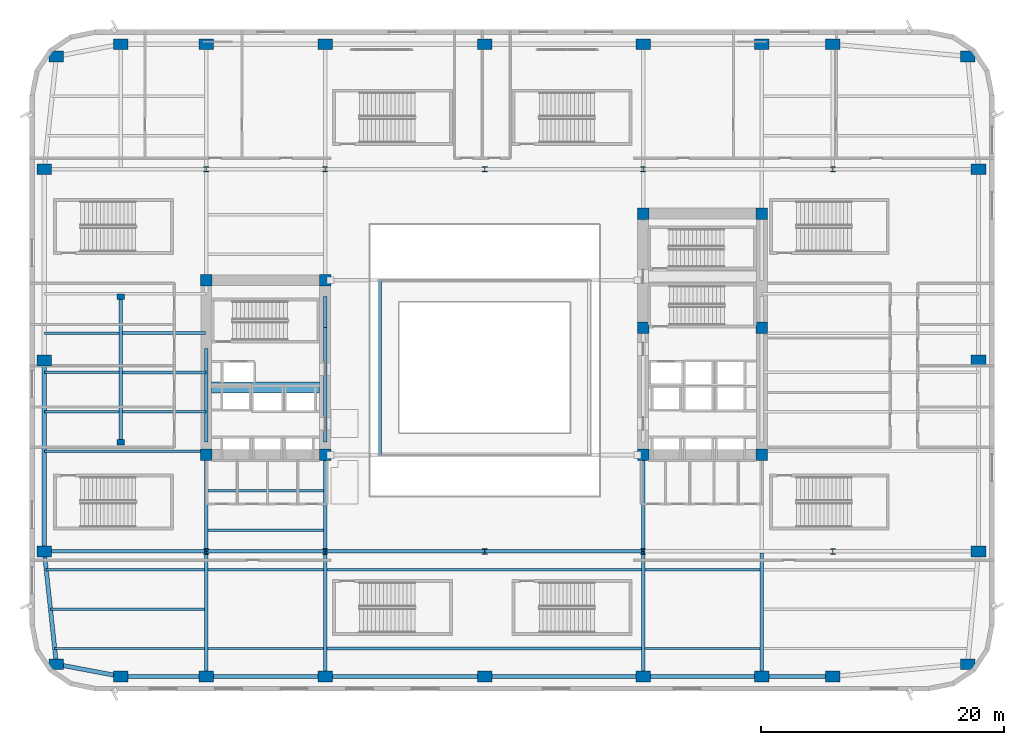
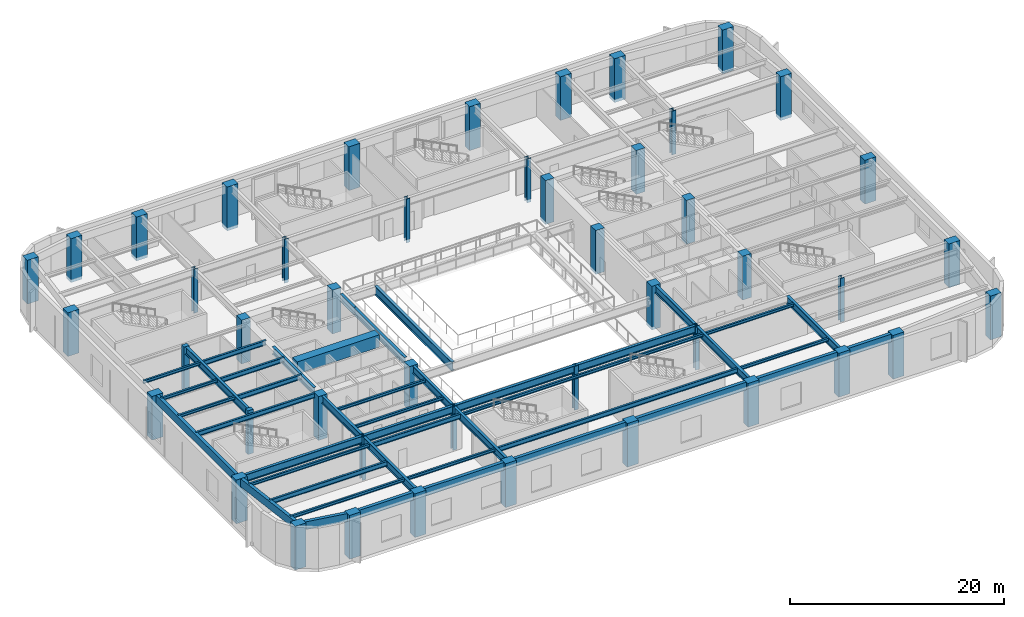
# One storey, part 1 of 21: 46 columns, 44 beams.
"""IFC4 building model written with IfcOpenShell, lengths in metres."""

from ifc_helpers import new_model, si_unit, direction, frame, origin, origin_2d, place, context, subcontext, project, spatial, rectangle, hollow_rectangle, i_section, extrude, material, material_profile, profile_set, type_object, element, save


model = new_model("IFC4")

# Units and contexts
model_context = context("Model", 3, precision=1e-05, world=origin(), true_north=direction((0.0, 1.0)))
body_context = subcontext(model_context, "Body", "Model", "MODEL_VIEW")
ifc_project = project(units=[si_unit("LENGTHUNIT", "METRE"), si_unit("AREAUNIT", "SQUARE_METRE"), si_unit("VOLUMEUNIT", "CUBIC_METRE"), si_unit("PLANEANGLEUNIT", "RADIAN"), si_unit("MASSUNIT", "GRAM", prefix="KILO")], contexts=[model_context])

# Site, building, storey
site_placement = place(None, origin())
site = spatial("IfcSite", under=ifc_project, at=site_placement, CompositionType="ELEMENT")
building_placement = place(site_placement, origin())
building = spatial("IfcBuilding", under=site, at=building_placement, Name="Kolvaren Arena Tower", CompositionType="ELEMENT")
storey_placement = place(building_placement, frame((0.0, 0.0, 18.0)))
storey = spatial("IfcBuildingStorey", under=building, at=storey_placement, Name="L03", CompositionType="ELEMENT", Elevation=18.0)

# Columns
ifc_material_1 = material(Name="Precast concrete C70/85", Category="concrete")
ifc_material_profile_1 = material_profile(ifc_material_1, rectangle(XDim=1.199951171875, YDim=0.89990234375, at=origin_2d()), Name="RC-1200x900")
ifc_profile_set_1 = profile_set([ifc_material_profile_1], Name="Precast concrete C70/85")
column_type_1 = type_object("IfcColumnType", Name="EXCOL-Z1", PredefinedType="COLUMN", material=ifc_profile_set_1)
for number, where, z_axis, x_axis, name in (
    (1, (2.199951171875, 2.199951171875, -0.35009765625), (0.0, 0.0, 1.0), (1.0, 0.0, 0.0), "Podium Perimeter Column PS-C0 (L03)"),
    (2, (7.5, 1.199951171875, -0.35009765625), (0.0, 0.0, 1.0), (1.0, 0.0, 0.0), "Podium Perimeter Column PS-01 (L03)"),
    (3, (14.550048828125, 1.199951171875, -0.35009765625), (0.0, 0.0, 1.0), (1.0, 0.0, 0.0), "Podium Perimeter Column PS-02 (L03)"),
    (4, (24.35009765625, 1.199951171875, -0.35009765625), (0.0, 0.0, 1.0), (1.0, 0.0, 0.0), "Podium Perimeter Column PS-03 (L03)"),
    (5, (37.5, 1.199951171875, -0.35009765625), (0.0, 0.0, 1.0), (1.0, 0.0, 0.0), "Podium Perimeter Column PS-04 (L03)"),
    (6, (50.550048828125, 1.199951171875, -0.35009765625), (0.0, 0.0, 1.0), (1.0, 0.0, 0.0), "Podium Perimeter Column PS-05 (L03)"),
    (7, (60.35009765625, 1.199951171875, -0.35009765625), (0.0, 0.0, 1.0), (1.0, 0.0, 0.0), "Podium Perimeter Column PS-06 (L03)"),
    (8, (66.199951171875, 1.199951171875, -0.35009765625), (0.0, 0.0, 1.0), (1.0, 0.0, 0.0), "Podium Perimeter Column PS-07 (L03)"),
    (9, (77.300048828125, 2.199951171875, -0.35009765625), (0.0, 0.0, 1.0), (1.0, 0.0, 0.0), "Podium Perimeter Column PE-C0 (L03)"),
    (10, (78.199951171875, 11.5, -0.35009765625), (0.0, 0.0, 1.0), (1.0, 0.0, 0.0), "Podium Perimeter Column PE-01 (L03)"),
    (11, (78.199951171875, 27.25, -0.35009765625), (0.0, 0.0, 1.0), (1.0, 0.0, 0.0), "Podium Perimeter Column PE-02 (L03)"),
    (12, (78.199951171875, 43.0, -0.35009765625), (0.0, 0.0, 1.0), (1.0, 0.0, 0.0), "Podium Perimeter Column PE-03 (L03)"),
    (13, (77.300048828125, 52.300048828125, -0.35009765625), (0.0, 0.0, 1.0), (1.0, 0.0, 0.0), "Podium Perimeter Column PN-C1 (L03)"),
    (14, (66.199951171875, 53.300048828125, -0.35009765625), (0.0, 0.0, 1.0), (1.0, 0.0, 0.0), "Podium Perimeter Column PN-07 (L03)"),
    (15, (60.35009765625, 53.300048828125, -0.35009765625), (0.0, 0.0, 1.0), (1.0, 0.0, 0.0), "Podium Perimeter Column PN-06 (L03)"),
    (16, (50.550048828125, 53.300048828125, -0.35009765625), (0.0, 0.0, 1.0), (1.0, 0.0, 0.0), "Podium Perimeter Column PN-05 (L03)"),
    (17, (37.5, 53.300048828125, -0.35009765625), (0.0, 0.0, 1.0), (1.0, 0.0, 0.0), "Podium Perimeter Column PN-04 (L03)"),
    (18, (24.35009765625, 53.300048828125, -0.35009765625), (0.0, 0.0, 1.0), (1.0, 0.0, 0.0), "Podium Perimeter Column PN-03 (L03)"),
    (19, (14.550048828125, 53.300048828125, -0.35009765625), (0.0, 0.0, 1.0), (1.0, 0.0, 0.0), "Podium Perimeter Column PN-02 (L03)"),
    (20, (7.5, 53.300048828125, -0.35009765625), (0.0, 0.0, 1.0), (1.0, 0.0, 0.0), "Podium Perimeter Column PN-01 (L03)"),
    (21, (2.199951171875, 52.300048828125, -0.35009765625), (0.0, 0.0, 1.0), (1.0, 0.0, 0.0), "Podium Perimeter Column PN-C0 (L03)"),
    (22, (1.199951171875, 43.0, -0.35009765625), (0.0, 0.0, 1.0), (1.0, 0.0, 0.0), "Podium Perimeter Column PW-03 (L03)"),
    (23, (1.199951171875, 27.25, -0.35009765625), (0.0, 0.0, 1.0), (1.0, 0.0, 0.0), "Podium Perimeter Column PW-02 (L03)"),
    (24, (1.199951171875, 11.5, -0.35009765625), (0.0, 0.0, 1.0), (1.0, 0.0, 0.0), "Podium Perimeter Column PW-01 (L03)"),
):
    element("IfcColumn", number, at=place(storey_placement, frame(where, z_axis=z_axis, x_axis=x_axis)), inside=storey, type_object=column_type_1, Name=name, PredefinedType="COLUMN", context=body_context, shape_type="SweptSolid", body=[
        extrude(rectangle(XDim=1.199951171875, YDim=0.89990234375, at=origin_2d()), origin(), (0.0, 0.0, 1.0), 5.0),
    ])
ifc_material_2 = material(Name="Concrete 60 MPa", Category="concrete")
ifc_material_profile_2 = material_profile(ifc_material_2, rectangle(XDim=0.949951171875, YDim=0.949951171875, at=origin_2d()), Name="RC-950x950")
ifc_profile_set_2 = profile_set([ifc_material_profile_2], Name="Concrete 60 MPa")
column_type_2 = type_object("IfcColumnType", Name="PCOL-B1", PredefinedType="COLUMN", material=ifc_profile_set_2)
for number, where, z_axis, x_axis, name in (
    (25, (14.550048828125, 19.449951171875, -0.35009765625), (0.0, 0.0, 1.0), (1.0, 0.0, 0.0), "Core Boundary Column WC-SW (L03)"),
    (26, (24.35009765625, 19.449951171875, -0.35009765625), (0.0, 0.0, 1.0), (1.0, 0.0, 0.0), "Core Boundary Column WC-SE (L03)"),
    (27, (14.550048828125, 33.85009765625, -0.35009765625), (0.0, 0.0, 1.0), (1.0, 0.0, 0.0), "Core Boundary Column WC-NW (L03)"),
    (28, (24.35009765625, 33.85009765625, -0.35009765625), (0.0, 0.0, 1.0), (1.0, 0.0, 0.0), "Core Boundary Column WC-NE (L03)"),
    (29, (50.550048828125, 19.449951171875, -0.35009765625), (0.0, 0.0, 1.0), (1.0, 0.0, 0.0), "Core Boundary Column EC-SW (L03)"),
    (30, (60.35009765625, 19.449951171875, -0.35009765625), (0.0, 0.0, 1.0), (1.0, 0.0, 0.0), "Core Boundary Column EC-SE (L03)"),
    (31, (50.550048828125, 29.949951171875, -0.35009765625), (0.0, 0.0, 1.0), (1.0, 0.0, 0.0), "Core Boundary Column EC-MW (L03)"),
    (32, (60.35009765625, 29.949951171875, -0.35009765625), (0.0, 0.0, 1.0), (1.0, 0.0, 0.0), "Core Boundary Column EC-ME (L03)"),
    (33, (50.550048828125, 39.35009765625, -0.35009765625), (0.0, 0.0, 1.0), (1.0, 0.0, 0.0), "Core Boundary Column EC-NW (L03)"),
    (34, (60.35009765625, 39.35009765625, -0.35009765625), (0.0, 0.0, 1.0), (1.0, 0.0, 0.0), "Core Boundary Column EC-NE (L03)"),
):
    element("IfcColumn", number, at=place(storey_placement, frame(where, z_axis=z_axis, x_axis=x_axis)), inside=storey, type_object=column_type_2, Name=name, PredefinedType="COLUMN", context=body_context, shape_type="SweptSolid", body=[
        extrude(rectangle(XDim=0.949951171875, YDim=0.949951171875, at=origin_2d()), origin(), (0.0, 0.0, 1.0), 5.0),
    ])
ifc_material_3 = material(Name="Precast concrete C50/60", Category="concrete")
ifc_material_profile_3 = material_profile(ifc_material_3, rectangle(XDim=0.60009765625, YDim=0.449951171875, at=origin_2d()), Name="RC-600x450")
ifc_profile_set_3 = profile_set([ifc_material_profile_3], Name="Precast concrete C50/60")
column_type_3 = type_object("IfcColumnType", Name="PIL-01", PredefinedType="PILASTER", material=ifc_profile_set_3)
for number, where, z_axis, x_axis, name in (
    (35, (7.5, 20.5, -0.35009765625), (0.0, 0.0, 1.0), (1.0, 0.0, 0.0), "Concourse Structural Pilaster 1 (L03)"),
    (36, (7.5, 32.5, -0.35009765625), (0.0, 0.0, 1.0), (1.0, 0.0, 0.0), "Concourse Structural Pilaster 2 (L03)"),
):
    element("IfcColumn", number, at=place(storey_placement, frame(where, z_axis=z_axis, x_axis=x_axis)), inside=storey, type_object=column_type_3, Name=name, PredefinedType="PILASTER", context=body_context, shape_type="SweptSolid", body=[
        extrude(rectangle(XDim=0.60009765625, YDim=0.449951171875, at=origin_2d()), origin(), (0.0, 0.0, 1.0), 5.0),
    ])
ifc_material_4 = material(Name="Steel ASTM A913 Grade 65", Category="steel")
ifc_material_profile_4 = material_profile(ifc_material_4, i_section(OverallWidth=0.424072265625, OverallDepth=0.47412109375, WebThickness=0.047607421875, FlangeThickness=0.076904296875, FilletRadius=0.02001953125, at=origin_2d()), Name="W360x634")
ifc_profile_set_4 = profile_set([ifc_material_profile_4], Name="Steel ASTM A913 Grade 65")
column_type_4 = type_object("IfcColumnType", Name="SCOL-Z1", PredefinedType="COLUMN", material=ifc_profile_set_4)
for number, where, z_axis, x_axis, name in (
    (37, (14.550048828125, 11.5, -0.35009765625), (0.0, 0.0, 1.0), (1.0, 0.0, 0.0), "Concourse Structural Column PB-S1 (L03)"),
    (38, (24.35009765625, 11.5, -0.35009765625), (0.0, 0.0, 1.0), (1.0, 0.0, 0.0), "Concourse Structural Column PB-S2 (L03)"),
    (39, (37.5, 11.5, -0.35009765625), (0.0, 0.0, 1.0), (1.0, 0.0, 0.0), "Concourse Structural Column PB-S3 (L03)"),
    (40, (50.550048828125, 11.5, -0.35009765625), (0.0, 0.0, 1.0), (1.0, 0.0, 0.0), "Concourse Structural Column PB-S4 (L03)"),
    (41, (66.199951171875, 11.5, -0.35009765625), (0.0, 0.0, 1.0), (1.0, 0.0, 0.0), "Concourse Structural Column PB-S5 (L03)"),
    (42, (14.550048828125, 43.0, -0.35009765625), (0.0, 0.0, 1.0), (1.0, 0.0, 0.0), "Concourse Structural Column PB-N1 (L03)"),
    (43, (24.35009765625, 43.0, -0.35009765625), (0.0, 0.0, 1.0), (1.0, 0.0, 0.0), "Concourse Structural Column PB-N2 (L03)"),
    (44, (37.5, 43.0, -0.35009765625), (0.0, 0.0, 1.0), (1.0, 0.0, 0.0), "Concourse Structural Column PB-N3 (L03)"),
    (45, (50.550048828125, 43.0, -0.35009765625), (0.0, 0.0, 1.0), (1.0, 0.0, 0.0), "Concourse Structural Column PB-N4 (L03)"),
    (46, (66.199951171875, 43.0, -0.35009765625), (0.0, 0.0, 1.0), (1.0, 0.0, 0.0), "Concourse Structural Column PB-N5 (L03)"),
):
    element("IfcColumn", number, at=place(storey_placement, frame(where, z_axis=z_axis, x_axis=x_axis)), inside=storey, type_object=column_type_4, Name=name, PredefinedType="COLUMN", context=body_context, shape_type="SweptSolid", body=[
        extrude(i_section(OverallWidth=0.424072265625, OverallDepth=0.47412109375, WebThickness=0.047607421875, FlangeThickness=0.076904296875, FilletRadius=0.02001953125, at=origin_2d()), origin(), (0.0, 0.0, 1.0), 5.0),
    ])

# Beams
ifc_material_5 = material(Name="Steel CSA G40.21 350W", Category="steel")
ifc_material_profile_5 = material_profile(ifc_material_5, i_section(OverallWidth=0.2119140625, OverallDepth=0.54296875, WebThickness=0.01318359375, FlangeThickness=0.0244140625, FilletRadius=0.013916015625, at=origin_2d()), Name="W530x150")
ifc_profile_set_5 = profile_set([ifc_material_profile_5], Name="Steel CSA G40.21 350W")
beam_type_1 = type_object("IfcBeamType", Name="BEAM-F1", PredefinedType="BEAM", material=ifc_profile_set_5)
beam_1_placement = place(storey_placement, frame((24.49609375, 3.5, 4.37841796875), z_axis=(1.0, 0.0, 0.0), x_axis=(0.0, 1.0, 0.0)))
element("IfcBeam", 47, at=beam_1_placement, inside=storey, type_object=beam_type_1, Name="Composite Floor Beam (L03)", PredefinedType="BEAM", context=body_context, shape_type="SweptSolid", body=[
    extrude(i_section(OverallWidth=0.2119140625, OverallDepth=0.54296875, WebThickness=0.01318359375, FlangeThickness=0.0244140625, FilletRadius=0.013916015625, at=origin_2d()), origin(), (0.0, 0.0, 1.0), 25.907958984375),
])
beam_2_placement = place(storey_placement, frame((1.710693359375, 6.75, 4.37841796875), z_axis=(1.0, 0.0, 0.0), x_axis=(0.0, 1.0, 0.0)))
element("IfcBeam", 48, at=beam_2_placement, inside=storey, type_object=beam_type_1, Name="Composite Floor Beam (L03)", PredefinedType="BEAM", context=body_context, shape_type="SweptSolid", body=[
    extrude(i_section(OverallWidth=0.2119140625, OverallDepth=0.54296875, WebThickness=0.01318359375, FlangeThickness=0.0244140625, FilletRadius=0.013916015625, at=origin_2d()), origin(), (0.0, 0.0, 1.0), 12.693359375),
])
beam_3_placement = place(storey_placement, frame((14.696044921875, 10.0, 4.37841796875), z_axis=(1.0, 0.0, 0.0), x_axis=(0.0, 1.0, 0.0)))
element("IfcBeam", 49, at=beam_3_placement, inside=storey, type_object=beam_type_1, Name="Composite Floor Beam (L03)", PredefinedType="BEAM", context=body_context, shape_type="SweptSolid", body=[
    extrude(i_section(OverallWidth=0.2119140625, OverallDepth=0.54296875, WebThickness=0.01318359375, FlangeThickness=0.0244140625, FilletRadius=0.013916015625, at=origin_2d()), origin(), (0.0, 0.0, 1.0), 9.508056640625),
])
beam_4_placement = place(storey_placement, frame((1.199951171875, 19.75, 4.37841796875), z_axis=(1.0, 0.0, 0.0), x_axis=(0.0, 1.0, 0.0)))
element("IfcBeam", 50, at=beam_4_placement, inside=storey, type_object=beam_type_1, Name="Composite Floor Beam (L03)", PredefinedType="BEAM", context=body_context, shape_type="SweptSolid", body=[
    extrude(i_section(OverallWidth=0.2119140625, OverallDepth=0.54296875, WebThickness=0.01318359375, FlangeThickness=0.0244140625, FilletRadius=0.013916015625, at=origin_2d()), origin(), (0.0, 0.0, 1.0), 13.330078125),
])
for number, where, z_axis, x_axis, name in (
    (51, (7.64599609375, 23.0, 4.37841796875), (1.0, 0.0, 0.0), (0.0, 1.0, 0.0), "Composite Floor Beam (L03)"),
    (52, (7.64599609375, 26.25, 4.37841796875), (1.0, 0.0, 0.0), (0.0, 1.0, 0.0), "Composite Floor Beam (L03)"),
):
    element("IfcBeam", number, at=place(storey_placement, frame(where, z_axis=z_axis, x_axis=x_axis)), inside=storey, type_object=beam_type_1, Name=name, PredefinedType="BEAM", context=body_context, shape_type="SweptSolid", body=[
        extrude(i_section(OverallWidth=0.2119140625, OverallDepth=0.54296875, WebThickness=0.01318359375, FlangeThickness=0.0244140625, FilletRadius=0.013916015625, at=origin_2d()), origin(), (0.0, 0.0, 1.0), 6.884033203125),
    ])
beam_5_placement = place(storey_placement, frame((7.64599609375, 29.5, 4.37841796875), z_axis=(1.0, 0.0, 0.0), x_axis=(0.0, 1.0, 0.0)))
element("IfcBeam", 53, at=beam_5_placement, inside=storey, type_object=beam_type_1, Name="Composite Floor Beam (L03)", PredefinedType="BEAM", context=body_context, shape_type="SweptSolid", body=[
    extrude(i_section(OverallWidth=0.2119140625, OverallDepth=0.54296875, WebThickness=0.01318359375, FlangeThickness=0.0244140625, FilletRadius=0.013916015625, at=origin_2d()), origin(), (0.0, 0.0, 1.0), 6.833984375),
])
ifc_material_6 = material(Name="Concrete 75 MPa", Category="concrete")
ifc_material_profile_6 = material_profile(ifc_material_6, rectangle(XDim=0.89990234375, YDim=1.39990234375, at=origin_2d()), Name="RC-900x1400")
ifc_profile_set_6 = profile_set([ifc_material_profile_6], Name="Concrete 75 MPa")
beam_type_2 = type_object("IfcBeamType", Name="CB-CORE-1", PredefinedType="BEAM", material=ifc_profile_set_6)
beam_6_placement = place(storey_placement, frame((15.0, 25.0, 4.219970703125), z_axis=(1.0, 0.0, 0.0), x_axis=(0.0, 1.0, 0.0)))
element("IfcBeam", 54, at=beam_6_placement, inside=storey, type_object=beam_type_2, Name="West Core Coupling Beam (L03)", PredefinedType="BEAM", context=body_context, shape_type="SweptSolid", body=[
    extrude(rectangle(XDim=0.89990234375, YDim=1.39990234375, at=origin_2d()), origin(), (0.0, 0.0, 1.0), 8.89990234375),
])
ifc_material_profile_7 = material_profile(ifc_material_5, i_section(OverallWidth=0.2919921875, OverallDepth=0.85498046875, WebThickness=0.02099609375, FlangeThickness=0.03564453125, FilletRadius=0.01806640625, at=origin_2d()), Name="W840x299")
ifc_profile_set_7 = profile_set([ifc_material_profile_7], Name="Steel CSA G40.21 350W")
beam_type_3 = type_object("IfcBeamType", Name="GIRD-P1", PredefinedType="BEAM", material=ifc_profile_set_7)
beam_7_placement = place(storey_placement, frame((1.199951171875, 11.5, 4.222412109375), z_axis=(1.0, 0.0, 0.0), x_axis=(0.0, 1.0, 0.0)))
element("IfcBeam", 55, at=beam_7_placement, inside=storey, type_object=beam_type_3, Name="Primary Floor Girder (L03)", PredefinedType="BEAM", context=body_context, shape_type="SweptSolid", body=[
    extrude(i_section(OverallWidth=0.2919921875, OverallDepth=0.85498046875, WebThickness=0.02099609375, FlangeThickness=0.03564453125, FilletRadius=0.01806640625, at=origin_2d()), origin(), (0.0, 0.0, 1.0), 13.35009765625),
])
beam_8_placement = place(storey_placement, frame((14.550048828125, 11.5, 4.222412109375), z_axis=(1.0, 0.0, 0.0), x_axis=(0.0, 1.0, 0.0)))
element("IfcBeam", 56, at=beam_8_placement, inside=storey, type_object=beam_type_3, Name="Primary Floor Girder (L03)", PredefinedType="BEAM", context=body_context, shape_type="SweptSolid", body=[
    extrude(i_section(OverallWidth=0.2919921875, OverallDepth=0.85498046875, WebThickness=0.02099609375, FlangeThickness=0.03564453125, FilletRadius=0.01806640625, at=origin_2d()), origin(), (0.0, 0.0, 1.0), 9.800048828125),
])
beam_9_placement = place(storey_placement, frame((24.35009765625, 11.5, 4.222412109375), z_axis=(1.0, 0.0, 0.0), x_axis=(0.0, 1.0, 0.0)))
element("IfcBeam", 57, at=beam_9_placement, inside=storey, type_object=beam_type_3, Name="Primary Floor Girder (L03)", PredefinedType="BEAM", context=body_context, shape_type="SweptSolid", body=[
    extrude(i_section(OverallWidth=0.2919921875, OverallDepth=0.85498046875, WebThickness=0.02099609375, FlangeThickness=0.03564453125, FilletRadius=0.01806640625, at=origin_2d()), origin(), (0.0, 0.0, 1.0), 13.14990234375),
])
beam_10_placement = place(storey_placement, frame((37.5, 11.5, 4.222412109375), z_axis=(1.0, 0.0, 0.0), x_axis=(0.0, 1.0, 0.0)))
element("IfcBeam", 58, at=beam_10_placement, inside=storey, type_object=beam_type_3, Name="Primary Floor Girder (L03)", PredefinedType="BEAM", context=body_context, shape_type="SweptSolid", body=[
    extrude(i_section(OverallWidth=0.2919921875, OverallDepth=0.85498046875, WebThickness=0.02099609375, FlangeThickness=0.03564453125, FilletRadius=0.01806640625, at=origin_2d()), origin(), (0.0, 0.0, 1.0), 13.050048828125),
])
beam_11_placement = place(storey_placement, frame((7.5, 20.5, 4.222412109375), z_axis=(0.0, 1.0, 0.0), x_axis=(-1.0, 0.0, 0.0)))
element("IfcBeam", 59, at=beam_11_placement, inside=storey, type_object=beam_type_3, Name="Primary Floor Girder (L03)", PredefinedType="BEAM", context=body_context, shape_type="SweptSolid", body=[
    extrude(i_section(OverallWidth=0.2919921875, OverallDepth=0.85498046875, WebThickness=0.02099609375, FlangeThickness=0.03564453125, FilletRadius=0.01806640625, at=origin_2d()), origin(), (0.0, 0.0, 1.0), 12.0),
])
beam_12_placement = place(storey_placement, frame((14.550048828125, 1.199951171875, 4.222412109375), z_axis=(0.0, 1.0, 0.0), x_axis=(-1.0, 0.0, 0.0)))
element("IfcBeam", 60, at=beam_12_placement, inside=storey, type_object=beam_type_3, Name="Primary Floor Girder (L03)", PredefinedType="BEAM", context=body_context, shape_type="SweptSolid", body=[
    extrude(i_section(OverallWidth=0.2919921875, OverallDepth=0.85498046875, WebThickness=0.02099609375, FlangeThickness=0.03564453125, FilletRadius=0.01806640625, at=origin_2d()), origin(), (0.0, 0.0, 1.0), 10.300048828125),
])
beam_13_placement = place(storey_placement, frame((14.550048828125, 11.5, 4.222412109375), z_axis=(0.0, 1.0, 0.0), x_axis=(-1.0, 0.0, 0.0)))
element("IfcBeam", 61, at=beam_13_placement, inside=storey, type_object=beam_type_3, Name="Primary Floor Girder (L03)", PredefinedType="BEAM", context=body_context, shape_type="SweptSolid", body=[
    extrude(i_section(OverallWidth=0.2919921875, OverallDepth=0.85498046875, WebThickness=0.02099609375, FlangeThickness=0.03564453125, FilletRadius=0.01806640625, at=origin_2d()), origin(), (0.0, 0.0, 1.0), 7.949951171875),
])
beam_14_placement = place(storey_placement, frame((14.550048828125, 20.5, 4.222412109375), z_axis=(0.0, 1.0, 0.0), x_axis=(-1.0, 0.0, 0.0)))
element("IfcBeam", 62, at=beam_14_placement, inside=storey, type_object=beam_type_3, Name="Primary Floor Girder (L03)", PredefinedType="BEAM", context=body_context, shape_type="SweptSolid", body=[
    extrude(i_section(OverallWidth=0.2919921875, OverallDepth=0.85498046875, WebThickness=0.02099609375, FlangeThickness=0.03564453125, FilletRadius=0.01806640625, at=origin_2d()), origin(), (0.0, 0.0, 1.0), 7.739990234375),
])
beam_15_placement = place(storey_placement, frame((24.35009765625, 1.199951171875, 4.222412109375), z_axis=(0.0, 1.0, 0.0), x_axis=(-1.0, 0.0, 0.0)))
element("IfcBeam", 63, at=beam_15_placement, inside=storey, type_object=beam_type_3, Name="Primary Floor Girder (L03)", PredefinedType="BEAM", context=body_context, shape_type="SweptSolid", body=[
    extrude(i_section(OverallWidth=0.2919921875, OverallDepth=0.85498046875, WebThickness=0.02099609375, FlangeThickness=0.03564453125, FilletRadius=0.01806640625, at=origin_2d()), origin(), (0.0, 0.0, 1.0), 10.300048828125),
])
beam_16_placement = place(storey_placement, frame((24.35009765625, 11.5, 4.222412109375), z_axis=(0.0, 1.0, 0.0), x_axis=(-1.0, 0.0, 0.0)))
element("IfcBeam", 64, at=beam_16_placement, inside=storey, type_object=beam_type_3, Name="Primary Floor Girder (L03)", PredefinedType="BEAM", context=body_context, shape_type="SweptSolid", body=[
    extrude(i_section(OverallWidth=0.2919921875, OverallDepth=0.85498046875, WebThickness=0.02099609375, FlangeThickness=0.03564453125, FilletRadius=0.01806640625, at=origin_2d()), origin(), (0.0, 0.0, 1.0), 7.949951171875),
])
beam_17_placement = place(storey_placement, frame((24.35009765625, 20.5, 4.222412109375), z_axis=(0.0, 1.0, 0.0), x_axis=(-1.0, 0.0, 0.0)))
element("IfcBeam", 65, at=beam_17_placement, inside=storey, type_object=beam_type_3, Name="Primary Floor Girder (L03)", PredefinedType="BEAM", context=body_context, shape_type="SweptSolid", body=[
    extrude(i_section(OverallWidth=0.2919921875, OverallDepth=0.85498046875, WebThickness=0.02099609375, FlangeThickness=0.03564453125, FilletRadius=0.01806640625, at=origin_2d()), origin(), (0.0, 0.0, 1.0), 9.449951171875),
])
beam_18_placement = place(storey_placement, frame((24.35009765625, 29.949951171875, 4.222412109375), z_axis=(0.0, 1.0, 0.0), x_axis=(-1.0, 0.0, 0.0)))
element("IfcBeam", 66, at=beam_18_placement, inside=storey, type_object=beam_type_3, Name="Primary Floor Girder (L03)", PredefinedType="BEAM", context=body_context, shape_type="SweptSolid", body=[
    extrude(i_section(OverallWidth=0.2919921875, OverallDepth=0.85498046875, WebThickness=0.02099609375, FlangeThickness=0.03564453125, FilletRadius=0.01806640625, at=origin_2d()), origin(), (0.0, 0.0, 1.0), 2.550048828125),
])
beam_19_placement = place(storey_placement, frame((50.550048828125, 1.199951171875, 4.222412109375), z_axis=(0.0, 1.0, 0.0), x_axis=(-1.0, 0.0, 0.0)))
element("IfcBeam", 67, at=beam_19_placement, inside=storey, type_object=beam_type_3, Name="Primary Floor Girder (L03)", PredefinedType="BEAM", context=body_context, shape_type="SweptSolid", body=[
    extrude(i_section(OverallWidth=0.2919921875, OverallDepth=0.85498046875, WebThickness=0.02099609375, FlangeThickness=0.03564453125, FilletRadius=0.01806640625, at=origin_2d()), origin(), (0.0, 0.0, 1.0), 10.300048828125),
])
beam_20_placement = place(storey_placement, frame((50.550048828125, 11.5, 4.222412109375), z_axis=(0.0, 1.0, 0.0), x_axis=(-1.0, 0.0, 0.0)))
element("IfcBeam", 68, at=beam_20_placement, inside=storey, type_object=beam_type_3, Name="Primary Floor Girder (L03)", PredefinedType="BEAM", context=body_context, shape_type="SweptSolid", body=[
    extrude(i_section(OverallWidth=0.2919921875, OverallDepth=0.85498046875, WebThickness=0.02099609375, FlangeThickness=0.03564453125, FilletRadius=0.01806640625, at=origin_2d()), origin(), (0.0, 0.0, 1.0), 7.949951171875),
])
beam_21_placement = place(storey_placement, frame((60.35009765625, 1.199951171875, 4.222412109375), z_axis=(0.0, 1.0, 0.0), x_axis=(-1.0, 0.0, 0.0)))
element("IfcBeam", 69, at=beam_21_placement, inside=storey, type_object=beam_type_3, Name="Primary Floor Girder (L03)", PredefinedType="BEAM", context=body_context, shape_type="SweptSolid", body=[
    extrude(i_section(OverallWidth=0.2919921875, OverallDepth=0.85498046875, WebThickness=0.02099609375, FlangeThickness=0.03564453125, FilletRadius=0.01806640625, at=origin_2d()), origin(), (0.0, 0.0, 1.0), 10.154052734375),
])
ifc_material_profile_8 = material_profile(ifc_material_5, i_section(OverallWidth=0.202880859375, OverallDepth=0.346923828125, WebThickness=0.0078125, FlangeThickness=0.013427734375, FilletRadius=0.010986328125, at=origin_2d()), Name="W360x64")
ifc_profile_set_8 = profile_set([ifc_material_profile_8], Name="Steel CSA G40.21 350W")
beam_type_4 = type_object("IfcBeamType", Name="JOIST-01", PredefinedType="JOIST", material=ifc_profile_set_8)
beam_22_placement = place(storey_placement, frame((2.060302734375, 3.5, 4.4765625), z_axis=(1.0, 0.0, 0.0), x_axis=(0.0, 1.0, 0.0)))
element("IfcBeam", 70, at=beam_22_placement, inside=storey, type_object=beam_type_4, Name="Composite Floor Joist (L03)", PredefinedType="JOIST", context=body_context, shape_type="SweptSolid", body=[
    extrude(i_section(OverallWidth=0.202880859375, OverallDepth=0.346923828125, WebThickness=0.0078125, FlangeThickness=0.013427734375, FilletRadius=0.010986328125, at=origin_2d()), origin(), (0.0, 0.0, 1.0), 12.34375),
])
for number, where, z_axis, x_axis, name in (
    (71, (14.696044921875, 3.5, 4.4765625), (1.0, 0.0, 0.0), (0.0, 1.0, 0.0), "Composite Floor Joist (L03)"),
    (72, (50.696044921875, 3.5, 4.4765625), (1.0, 0.0, 0.0), (0.0, 1.0, 0.0), "Composite Floor Joist (L03)"),
):
    element("IfcBeam", number, at=place(storey_placement, frame(where, z_axis=z_axis, x_axis=x_axis)), inside=storey, type_object=beam_type_4, Name=name, PredefinedType="JOIST", context=body_context, shape_type="SweptSolid", body=[
        extrude(i_section(OverallWidth=0.202880859375, OverallDepth=0.346923828125, WebThickness=0.0078125, FlangeThickness=0.013427734375, FilletRadius=0.010986328125, at=origin_2d()), origin(), (0.0, 0.0, 1.0), 9.508056640625),
    ])
beam_23_placement = place(storey_placement, frame((1.361328125, 10.0, 4.4765625), z_axis=(1.0, 0.0, 0.0), x_axis=(0.0, 1.0, 0.0)))
element("IfcBeam", 73, at=beam_23_placement, inside=storey, type_object=beam_type_4, Name="Composite Floor Joist (L03)", PredefinedType="JOIST", context=body_context, shape_type="SweptSolid", body=[
    extrude(i_section(OverallWidth=0.202880859375, OverallDepth=0.346923828125, WebThickness=0.0078125, FlangeThickness=0.013427734375, FilletRadius=0.010986328125, at=origin_2d()), origin(), (0.0, 0.0, 1.0), 13.042724609375),
])
beam_24_placement = place(storey_placement, frame((24.49609375, 10.0, 4.4765625), z_axis=(1.0, 0.0, 0.0), x_axis=(0.0, 1.0, 0.0)))
element("IfcBeam", 74, at=beam_24_placement, inside=storey, type_object=beam_type_4, Name="Composite Floor Joist (L03)", PredefinedType="JOIST", context=body_context, shape_type="SweptSolid", body=[
    extrude(i_section(OverallWidth=0.202880859375, OverallDepth=0.346923828125, WebThickness=0.0078125, FlangeThickness=0.013427734375, FilletRadius=0.010986328125, at=origin_2d()), origin(), (0.0, 0.0, 1.0), 25.907958984375),
])
for number, where, z_axis, x_axis, name in (
    (75, (50.696044921875, 10.0, 4.4765625), (1.0, 0.0, 0.0), (0.0, 1.0, 0.0), "Composite Floor Joist (L03)"),
    (76, (14.696044921875, 13.25, 4.4765625), (1.0, 0.0, 0.0), (0.0, 1.0, 0.0), "Composite Floor Joist (L03)"),
    (77, (14.696044921875, 16.5, 4.4765625), (1.0, 0.0, 0.0), (0.0, 1.0, 0.0), "Composite Floor Joist (L03)"),
):
    element("IfcBeam", number, at=place(storey_placement, frame(where, z_axis=z_axis, x_axis=x_axis)), inside=storey, type_object=beam_type_4, Name=name, PredefinedType="JOIST", context=body_context, shape_type="SweptSolid", body=[
        extrude(i_section(OverallWidth=0.202880859375, OverallDepth=0.346923828125, WebThickness=0.0078125, FlangeThickness=0.013427734375, FilletRadius=0.010986328125, at=origin_2d()), origin(), (0.0, 0.0, 1.0), 9.508056640625),
    ])
for number, where, z_axis, x_axis, name in (
    (78, (1.199951171875, 23.0, 4.4765625), (1.0, 0.0, 0.0), (0.0, 1.0, 0.0), "Composite Floor Joist (L03)"),
    (79, (1.199951171875, 26.25, 4.4765625), (1.0, 0.0, 0.0), (0.0, 1.0, 0.0), "Composite Floor Joist (L03)"),
    (80, (1.199951171875, 29.5, 4.4765625), (1.0, 0.0, 0.0), (0.0, 1.0, 0.0), "Composite Floor Joist (L03)"),
):
    element("IfcBeam", number, at=place(storey_placement, frame(where, z_axis=z_axis, x_axis=x_axis)), inside=storey, type_object=beam_type_4, Name=name, PredefinedType="JOIST", context=body_context, shape_type="SweptSolid", body=[
        extrude(i_section(OverallWidth=0.202880859375, OverallDepth=0.346923828125, WebThickness=0.0078125, FlangeThickness=0.013427734375, FilletRadius=0.010986328125, at=origin_2d()), origin(), (0.0, 0.0, 1.0), 6.154052734375),
    ])
ifc_material_profile_9 = material_profile(ifc_material_5, i_section(OverallWidth=0.323974609375, OverallDepth=1.011962890625, WebThickness=0.02685546875, FlangeThickness=0.0458984375, FilletRadius=0.02197265625, at=origin_2d()), Name="W1000x443")
ifc_profile_set_9 = profile_set([ifc_material_profile_9], Name="Steel CSA G40.21 350W")
beam_type_5 = type_object("IfcBeamType", Name="RAKER-01", PredefinedType="USERDEFINED", material=ifc_profile_set_9)
beam_25_placement = place(storey_placement, frame((28.85009765625, 19.449951171875, 2.68408203125), z_axis=(0.0, 1.0, 0.0), x_axis=(-1.0, 0.0, 0.0)))
element("IfcBeam", 81, at=beam_25_placement, inside=storey, type_object=beam_type_5, Name="Arena Bowl Raker Girder (L03 W)", ObjectType="RAKER GIRDER", PredefinedType="USERDEFINED", context=body_context, shape_type="SweptSolid", body=[
    extrude(i_section(OverallWidth=0.323974609375, OverallDepth=1.011962890625, WebThickness=0.02685546875, FlangeThickness=0.0458984375, FilletRadius=0.02197265625, at=origin_2d()), origin(), (0.0, 0.0, 1.0), 14.400146484375),
])
ifc_material_7 = material(Name="Steel CSA G40.21 350WT", Category="steel")
ifc_material_profile_10 = material_profile(ifc_material_7, hollow_rectangle(XDim=0.35009765625, YDim=0.89990234375, WallThickness=0.02001953125, at=origin_2d()), Name="HSS 900x350x20")
ifc_profile_set_10 = profile_set([ifc_material_profile_10], Name="Steel CSA G40.21 350WT")
beam_type_6 = type_object("IfcBeamType", Name="SPAND-01", PredefinedType="SPANDREL", material=ifc_profile_set_10)
beam_26_placement = place(storey_placement, frame((2.199951171875, 2.199951171875, 4.199951171875), z_axis=(0.982661964955, -0.185406209796, 0.0), x_axis=(0.185406209796, 0.982661964955, 0.0)))
element("IfcBeam", 82, at=beam_26_placement, inside=storey, type_object=beam_type_6, Name="Perimeter Spandrel Beam (L03)", PredefinedType="SPANDREL", context=body_context, shape_type="SweptSolid", body=[
    extrude(hollow_rectangle(XDim=0.35009765625, YDim=0.89990234375, WallThickness=0.02001953125, at=origin_2d()), origin(), (0.0, 0.0, 1.0), 5.3935546875),
])
beam_27_placement = place(storey_placement, frame((7.5, 1.199951171875, 4.199951171875), z_axis=(1.0, 0.0, 0.0), x_axis=(0.0, 1.0, 0.0)))
element("IfcBeam", 83, at=beam_27_placement, inside=storey, type_object=beam_type_6, Name="Perimeter Spandrel Beam (L03)", PredefinedType="SPANDREL", context=body_context, shape_type="SweptSolid", body=[
    extrude(hollow_rectangle(XDim=0.35009765625, YDim=0.89990234375, WallThickness=0.02001953125, at=origin_2d()), origin(), (0.0, 0.0, 1.0), 7.050048828125),
])
beam_28_placement = place(storey_placement, frame((14.550048828125, 1.199951171875, 4.199951171875), z_axis=(1.0, 0.0, 0.0), x_axis=(0.0, 1.0, 0.0)))
element("IfcBeam", 84, at=beam_28_placement, inside=storey, type_object=beam_type_6, Name="Perimeter Spandrel Beam (L03)", PredefinedType="SPANDREL", context=body_context, shape_type="SweptSolid", body=[
    extrude(hollow_rectangle(XDim=0.35009765625, YDim=0.89990234375, WallThickness=0.02001953125, at=origin_2d()), origin(), (0.0, 0.0, 1.0), 9.800048828125),
])
beam_29_placement = place(storey_placement, frame((24.35009765625, 1.199951171875, 4.199951171875), z_axis=(1.0, 0.0, 0.0), x_axis=(0.0, 1.0, 0.0)))
element("IfcBeam", 85, at=beam_29_placement, inside=storey, type_object=beam_type_6, Name="Perimeter Spandrel Beam (L03)", PredefinedType="SPANDREL", context=body_context, shape_type="SweptSolid", body=[
    extrude(hollow_rectangle(XDim=0.35009765625, YDim=0.89990234375, WallThickness=0.02001953125, at=origin_2d()), origin(), (0.0, 0.0, 1.0), 13.14990234375),
])
beam_30_placement = place(storey_placement, frame((37.5, 1.199951171875, 4.199951171875), z_axis=(1.0, 0.0, 0.0), x_axis=(0.0, 1.0, 0.0)))
element("IfcBeam", 86, at=beam_30_placement, inside=storey, type_object=beam_type_6, Name="Perimeter Spandrel Beam (L03)", PredefinedType="SPANDREL", context=body_context, shape_type="SweptSolid", body=[
    extrude(hollow_rectangle(XDim=0.35009765625, YDim=0.89990234375, WallThickness=0.02001953125, at=origin_2d()), origin(), (0.0, 0.0, 1.0), 13.050048828125),
])
beam_31_placement = place(storey_placement, frame((50.550048828125, 1.199951171875, 4.199951171875), z_axis=(1.0, 0.0, 0.0), x_axis=(0.0, 1.0, 0.0)))
element("IfcBeam", 87, at=beam_31_placement, inside=storey, type_object=beam_type_6, Name="Perimeter Spandrel Beam (L03)", PredefinedType="SPANDREL", context=body_context, shape_type="SweptSolid", body=[
    extrude(hollow_rectangle(XDim=0.35009765625, YDim=0.89990234375, WallThickness=0.02001953125, at=origin_2d()), origin(), (0.0, 0.0, 1.0), 9.800048828125),
])
beam_32_placement = place(storey_placement, frame((60.35009765625, 1.199951171875, 4.199951171875), z_axis=(1.0, 0.0, 0.0), x_axis=(0.0, 1.0, 0.0)))
element("IfcBeam", 88, at=beam_32_placement, inside=storey, type_object=beam_type_6, Name="Perimeter Spandrel Beam (L03)", PredefinedType="SPANDREL", context=body_context, shape_type="SweptSolid", body=[
    extrude(hollow_rectangle(XDim=0.35009765625, YDim=0.89990234375, WallThickness=0.02001953125, at=origin_2d()), origin(), (0.0, 0.0, 1.0), 5.849853515625),
])
beam_33_placement = place(storey_placement, frame((1.199951171875, 27.25, 4.199951171875), z_axis=(0.0, -1.0, 0.0), x_axis=(1.0, 0.0, 0.0)))
element("IfcBeam", 89, at=beam_33_placement, inside=storey, type_object=beam_type_6, Name="Perimeter Spandrel Beam (L03)", PredefinedType="SPANDREL", context=body_context, shape_type="SweptSolid", body=[
    extrude(hollow_rectangle(XDim=0.35009765625, YDim=0.89990234375, WallThickness=0.02001953125, at=origin_2d()), origin(), (0.0, 0.0, 1.0), 15.75),
])
beam_34_placement = place(storey_placement, frame((1.199951171875, 11.5, 4.199951171875), z_axis=(0.106910051219, -0.994268696555, 0.0), x_axis=(0.994268696555, 0.106910051219, 0.0)))
element("IfcBeam", 90, at=beam_34_placement, inside=storey, type_object=beam_type_6, Name="Perimeter Spandrel Beam (L03)", PredefinedType="SPANDREL", context=body_context, shape_type="SweptSolid", body=[
    extrude(hollow_rectangle(XDim=0.35009765625, YDim=0.89990234375, WallThickness=0.02001953125, at=origin_2d()), origin(), (0.0, 0.0, 1.0), 9.353759765625),
])

save(model, "model.ifc")
